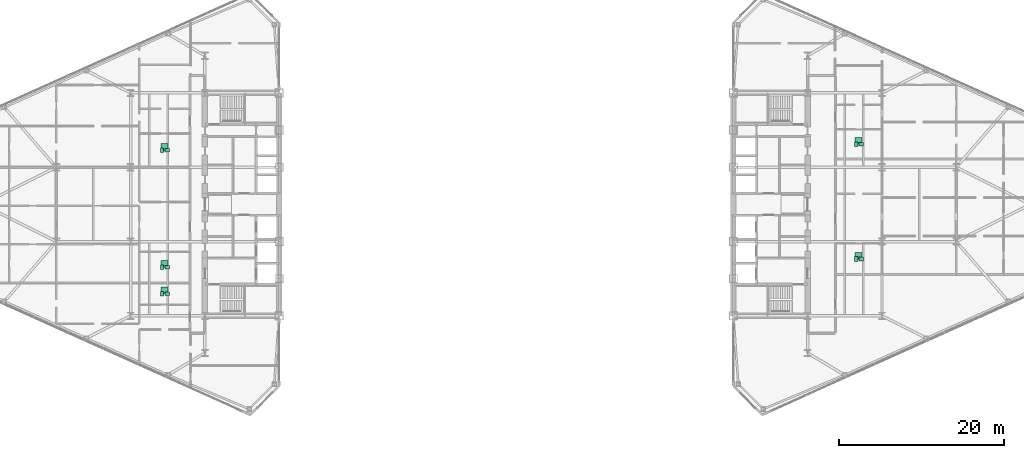
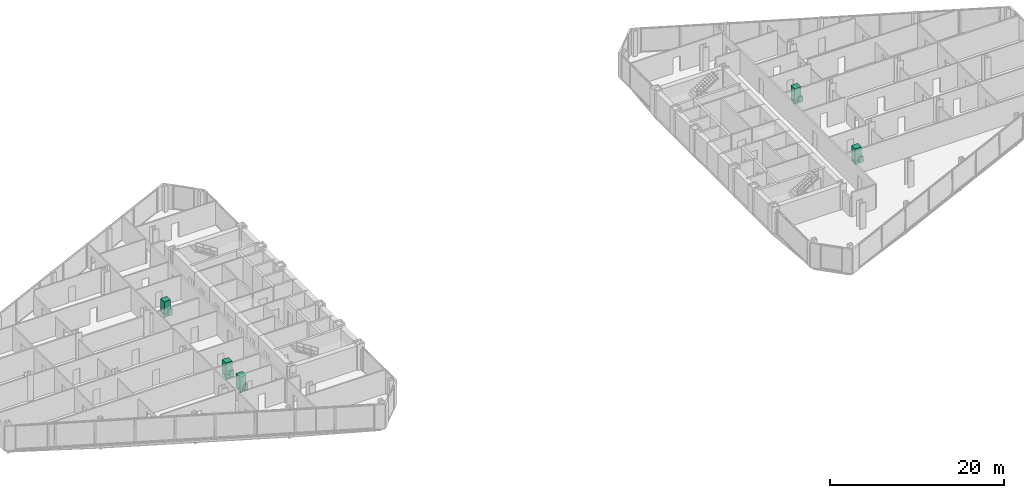
# One storey, part 27 of 27: 15 sanitary terminals.
"""IFC4 building model written with IfcOpenShell, lengths in metres."""

from ifc_helpers import new_model, si_unit, direction, frame, origin, origin_2d, place, context, subcontext, project, spatial, rectangle, extrude, source, transform, mapped, material, type_object, type_shapes, element, save


model = new_model("IFC4")

# Units and contexts
model_context = context("Model", 3, precision=1e-05, world=origin(), true_north=direction((0.0, 1.0)))
body_context = subcontext(model_context, "Body", "Model", "MODEL_VIEW")
ifc_project = project(units=[si_unit("LENGTHUNIT", "METRE"), si_unit("AREAUNIT", "SQUARE_METRE"), si_unit("VOLUMEUNIT", "CUBIC_METRE"), si_unit("PLANEANGLEUNIT", "RADIAN"), si_unit("MASSUNIT", "GRAM", prefix="KILO")], contexts=[model_context])

# Site, building, storey
site_placement = place(None, origin())
site = spatial("IfcSite", under=ifc_project, at=site_placement, CompositionType="ELEMENT")
building_placement = place(site_placement, origin())
building = spatial("IfcBuilding", under=site, at=building_placement, Name="Seokmaru Belvedere", CompositionType="ELEMENT")
storey_placement = place(building_placement, frame((0.0, 0.0, 72.89990234375)))
storey = spatial("IfcBuildingStorey", under=building, at=storey_placement, Name="L19", CompositionType="ELEMENT", Elevation=72.89990234375)

# Sanitary terminals
ifc_material_1 = material(Name="Vitreous China Sanitaryware")
sanitary_terminal_type_1 = type_object("IfcSanitaryTerminalType", Name="Wall-Hung Vitreous China WC Pan", PredefinedType="TOILETPAN", material=ifc_material_1)
shared_shape_1 = source(origin(), body_context, "Body", "SweptSolid", [
    extrude(rectangle(XDim=0.3798828125, YDim=0.56005859375, at=origin_2d()), origin(), (0.0, 0.0, 1.0), 0.419921875),
])
type_shapes(sanitary_terminal_type_1, [shared_shape_1])
for number, where, z_axis, x_axis, name in (
    (1, (-41.675048828125, -10.822021484375, 0.000244140625), (0.0, 0.0, 1.0), (1.0, 0.0, 0.0), "L19 Vitreous China WC 0109"),
    (2, (-41.675048828125, -7.611083984375, 0.000244140625), (0.0, 0.0, 1.0), (1.0, 0.0, 0.0), "L19 Vitreous China WC 0110"),
    (3, (-41.675048828125, 6.5390625, 0.000244140625), (0.0, 0.0, 1.0), (1.0, 0.0, 0.0), "L19 Vitreous China WC 0111"),
    (4, (42.375, -6.611083984375, 0.000244140625), (0.0, 0.0, 1.0), (1.0, 0.0, 0.0), "L19 Vitreous China WC 0112"),
    (5, (42.375, 7.2890625, 0.000244140625), (0.0, 0.0, 1.0), (1.0, 0.0, 0.0), "L19 Vitreous China WC 0113"),
):
    element("IfcSanitaryTerminal", number, at=place(storey_placement, frame(where, z_axis=z_axis, x_axis=x_axis)), inside=storey, type_object=sanitary_terminal_type_1, Name=name, PredefinedType="TOILETPAN", context=body_context, shape_type="MappedRepresentation", body=[
        mapped(shared_shape_1, transform((0.0, 0.0, 0.0), scale=1.0)),
    ])
sanitary_terminal_type_2 = type_object("IfcSanitaryTerminalType", Name="Countertop Ceramic Washhand Basin", PredefinedType="WASHHANDBASIN", material=ifc_material_1)
shared_shape_2 = source(origin(), body_context, "Body", "SweptSolid", [
    extrude(rectangle(XDim=0.550048828125, YDim=0.449951171875, at=origin_2d()), origin(), (0.0, 0.0, 1.0), 0.820068359375),
])
type_shapes(sanitary_terminal_type_2, [shared_shape_2])
for number, where, z_axis, x_axis, name in (
    (6, (-41.074951171875, -10.822021484375, 0.0), (0.0, 0.0, 1.0), (1.0, 0.0, 0.0), "L19 Ceramic Washhand Basin 0109"),
    (7, (-41.074951171875, -7.611083984375, 0.0), (0.0, 0.0, 1.0), (1.0, 0.0, 0.0), "L19 Ceramic Washhand Basin 0110"),
    (8, (-41.074951171875, 6.5390625, 0.0), (0.0, 0.0, 1.0), (1.0, 0.0, 0.0), "L19 Ceramic Washhand Basin 0111"),
    (9, (42.97509765625, -6.611083984375, 0.0), (0.0, 0.0, 1.0), (1.0, 0.0, 0.0), "L19 Ceramic Washhand Basin 0112"),
    (10, (42.97509765625, 7.2890625, 0.0), (0.0, 0.0, 1.0), (1.0, 0.0, 0.0), "L19 Ceramic Washhand Basin 0113"),
):
    element("IfcSanitaryTerminal", number, at=place(storey_placement, frame(where, z_axis=z_axis, x_axis=x_axis)), inside=storey, type_object=sanitary_terminal_type_2, Name=name, PredefinedType="WASHHANDBASIN", context=body_context, shape_type="MappedRepresentation", body=[
        mapped(shared_shape_2, transform((0.0, 0.0, 0.0), scale=1.0)),
    ])
ifc_material_2 = material(Name="Stainless Steel 316", Category="steel")
sanitary_terminal_type_3 = type_object("IfcSanitaryTerminalType", Name="Walk-In Thermostatic Rain Shower Enclosure", PredefinedType="SHOWER", material=ifc_material_2)
shared_shape_3 = source(origin(), body_context, "Body", "SweptSolid", [
    extrude(rectangle(XDim=0.85009765625, YDim=0.85009765625, at=origin_2d()), origin(), (0.0, 0.0, 1.0), 2.050048828125),
])
type_shapes(sanitary_terminal_type_3, [shared_shape_3])
for number, where, z_axis, x_axis, name in (
    (11, (-41.375, -10.44189453125, 0.0), (0.0, 0.0, 1.0), (1.0, 0.0, 0.0), "L19 Walk-In Shower 0109"),
    (12, (-41.375, -7.23095703125, 0.0), (0.0, 0.0, 1.0), (1.0, 0.0, 0.0), "L19 Walk-In Shower 0110"),
    (13, (-41.375, 6.9189453125, 0.0), (0.0, 0.0, 1.0), (1.0, 0.0, 0.0), "L19 Walk-In Shower 0111"),
    (14, (42.675048828125, -6.23095703125, 0.0), (0.0, 0.0, 1.0), (1.0, 0.0, 0.0), "L19 Walk-In Shower 0112"),
    (15, (42.675048828125, 7.6689453125, 0.0), (0.0, 0.0, 1.0), (1.0, 0.0, 0.0), "L19 Walk-In Shower 0113"),
):
    element("IfcSanitaryTerminal", number, at=place(storey_placement, frame(where, z_axis=z_axis, x_axis=x_axis)), inside=storey, type_object=sanitary_terminal_type_3, Name=name, PredefinedType="SHOWER", context=body_context, shape_type="MappedRepresentation", body=[
        mapped(shared_shape_3, transform((0.0, 0.0, 0.0), scale=1.0)),
    ])

save(model, "model.ifc")
